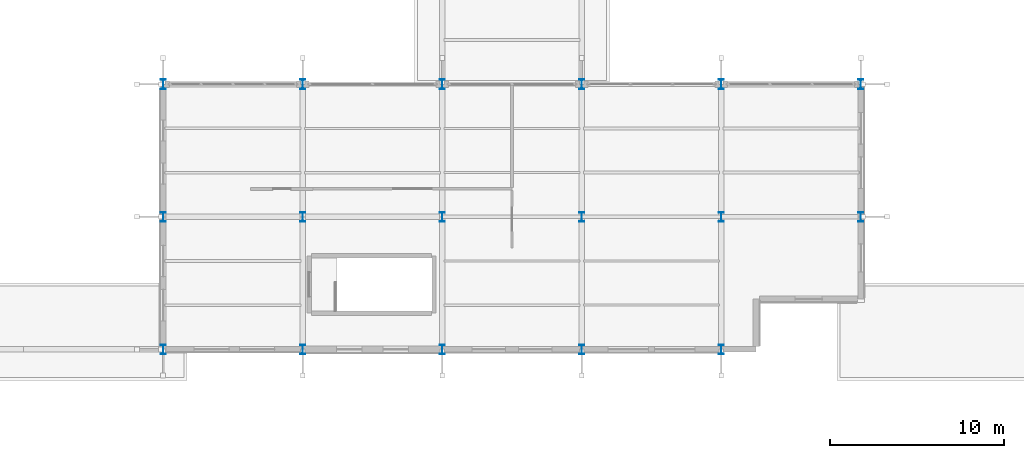
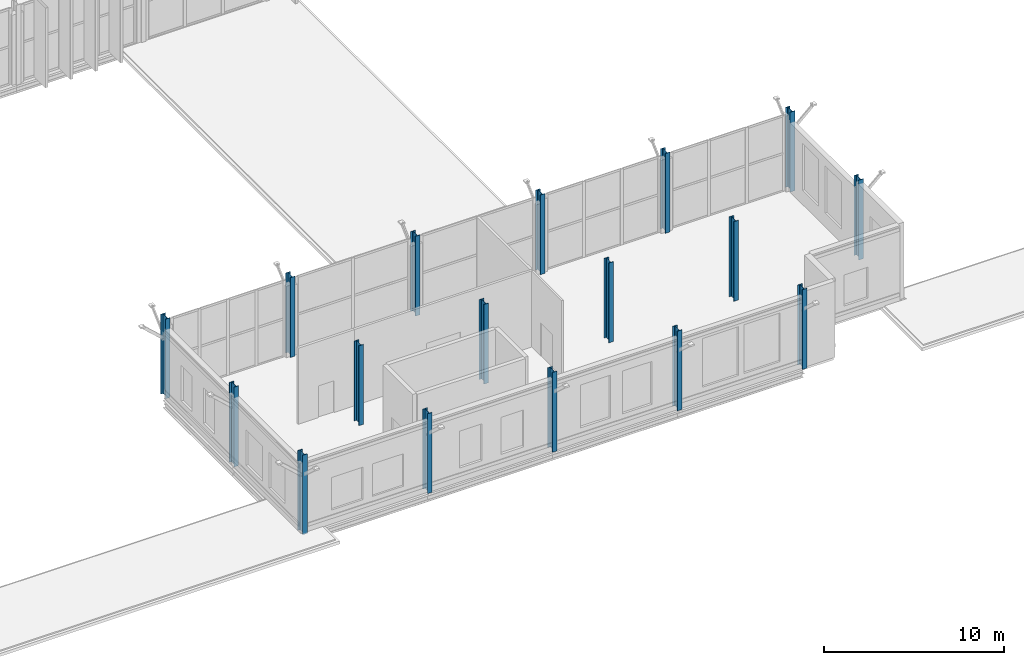
# One storey, part 5 of 147: 17 columns.
"""IFC4 building model written with IfcOpenShell, lengths in metres."""

import ifcopenshell
import ifcopenshell.guid

model = None  # the IFC model being written
_history = None  # IfcOwnerHistory: only IFC2X3 demands one
_inside = {}  # id of a spatial element -> (the spatial element, [elements in it])
_under = {}  # id of a project, library or spatial element -> (it, [spatial elements below it])
_declared = {}  # id of a project -> (the project, [libraries it declares])
_typed = {}  # id of a type object -> (the type object, [elements of that type])
_made_of = {}  # id of a material, layer set ... -> (it, [elements and type objects made of it])


def new_model(schema):
    """Start an empty IFC model of exactly this schema.

    Asked for "IFC4X3", IfcOpenShell would pick the latest addendum, in which some entities
    have other attributes; the version numbers below select the first issue.
    IFC2X3 requires an IfcOwnerHistory on every rooted entity: one is made here for all.
    """
    global model, _history
    if schema == "IFC4X3":
        model = ifcopenshell.file(schema_version=(4, 3, 0, 0))
    else:
        model = ifcopenshell.file(schema=schema)
    _inside.clear()
    _under.clear()
    _declared.clear()
    _typed.clear()
    _made_of.clear()
    _history = None
    if model.schema == "IFC2X3":
        org = make("IfcOrganization", Name="unknown")
        user = make(
            "IfcPersonAndOrganization",
            ThePerson=make("IfcPerson", FamilyName="unknown"),
            TheOrganization=org,
        )
        app = make(
            "IfcApplication",
            ApplicationDeveloper=org,
            Version="unknown",
            ApplicationFullName="unknown",
            ApplicationIdentifier="unknown",
        )
        _history = make(
            "IfcOwnerHistory",
            OwningUser=user,
            OwningApplication=app,
            ChangeAction="ADDED",
            CreationDate=0,
        )
    return model


def make(cls, **values):
    """One entity of the class cls with the attributes given. An attribute that is None is left unset."""
    return model.create_entity(
        cls, **{name: value for name, value in values.items() if value is not None}
    )


def rooted(cls, **values):
    """An entity with a GlobalId (a new one), such as an element, a storey or a relation."""
    return make(cls, GlobalId=ifcopenshell.guid.new(), OwnerHistory=_history, **values)


def si_unit(unit_type, name, prefix=None):
    """IfcSIUnit, for example si_unit("LENGTHUNIT", "METRE", prefix="MILLI")."""
    return make("IfcSIUnit", UnitType=unit_type, Prefix=prefix, Name=name)


def assignment(units):
    """IfcUnitAssignment: the units of a project."""
    return None if units is None else make("IfcUnitAssignment", Units=units)


def point(xyz):
    """IfcCartesianPoint."""
    return None if xyz is None else make("IfcCartesianPoint", Coordinates=xyz)


def direction(xyz):
    """IfcDirection."""
    return None if xyz is None else make("IfcDirection", DirectionRatios=xyz)


def frame(location, z_axis=None, x_axis=None):
    """IfcAxis2Placement3D, a coordinate frame: its origin and axes. An axis left out is left unset."""
    return make(
        "IfcAxis2Placement3D",
        Location=point(location),
        Axis=direction(z_axis),
        RefDirection=direction(x_axis),
    )


def frame_2d(location, x_axis=None):
    """IfcAxis2Placement2D, a coordinate frame in the plane: its origin and x axis."""
    return make(
        "IfcAxis2Placement2D", Location=point(location), RefDirection=direction(x_axis)
    )


def origin():
    """The frame at (0, 0, 0) with its axes left unset."""
    return frame((0.0, 0.0, 0.0))


def origin_2d():
    """The frame at (0, 0) in the plane with its x axis left unset."""
    return frame_2d((0.0, 0.0))


def place(relative_to, where):
    """IfcLocalPlacement: puts the frame where relative to a parent placement (None: the world)."""
    return make(
        "IfcLocalPlacement", PlacementRelTo=relative_to, RelativePlacement=where
    )


def context(
    kind, dimensions, precision=None, world=None, true_north=None, identifier=None
):
    """IfcGeometricRepresentationContext, for example the 3D "Model" context."""
    return make(
        "IfcGeometricRepresentationContext",
        ContextIdentifier=identifier,
        ContextType=kind,
        CoordinateSpaceDimension=dimensions,
        Precision=precision,
        WorldCoordinateSystem=world,
        TrueNorth=true_north,
    )


def subcontext(parent, identifier, kind, view, scale=None):
    """IfcGeometricRepresentationSubContext, for example "Body" below "Model"."""
    return make(
        "IfcGeometricRepresentationSubContext",
        ContextIdentifier=identifier,
        ContextType=kind,
        ParentContext=parent,
        TargetScale=scale,
        TargetView=view,
    )


def project(units=None, contexts=None):
    """IfcProject with its units and contexts."""
    return rooted(
        "IfcProject",
        Name="project",
        RepresentationContexts=contexts,
        UnitsInContext=assignment(units),
    )


def spatial(cls, under=None, at=None, **own):
    """A site, building, storey or space (cls), placed at a placement, below another one or the project."""
    s = rooted(cls, ObjectPlacement=at, **own)
    if under is not None:
        _under.setdefault(under.id(), (under, []))[1].append(s)
    return s


def profile(cls, at=None, kind="AREA", **sizes):
    """A parametric profile (cls). Its sizes go by their IFC names, for example OverallWidth=200.0."""
    return make(cls, ProfileType=kind, Position=at, **sizes)


def i_section(**sizes):
    """IfcIShapeProfileDef."""
    return profile("IfcIShapeProfileDef", **sizes)


def extrude(swept, where, along, depth):
    """IfcExtrudedAreaSolid: the profile swept, set in the frame where, extruded along a direction by depth."""
    return make(
        "IfcExtrudedAreaSolid",
        SweptArea=swept,
        Position=where,
        ExtrudedDirection=direction(along),
        Depth=depth,
    )


def shape(context_of_items, identifier, shape_type, items):
    """IfcShapeRepresentation: the items that make up one representation, for example the "Body"."""
    return make(
        "IfcShapeRepresentation",
        ContextOfItems=context_of_items,
        RepresentationIdentifier=identifier,
        RepresentationType=shape_type,
        Items=items,
    )


def material(Name=None, Category=None):
    """IfcMaterial."""
    return make("IfcMaterial", Name=Name, Category=Category)


def material_profile(
    of_material, cross_section, Name=None, Category=None, Priority=None
):
    """IfcMaterialProfile: a cross section and its material."""
    return make(
        "IfcMaterialProfile",
        Name=Name,
        Material=of_material,
        Profile=cross_section,
        Priority=Priority,
        Category=Category,
    )


def profile_set(profiles, Name=None, composite=None):
    """IfcMaterialProfileSet."""
    return make(
        "IfcMaterialProfileSet",
        Name=Name,
        MaterialProfiles=profiles,
        CompositeProfile=composite,
    )


def made_of(thing, what):
    """Note that an element or type object is made of a material, layer set ...; save() writes the relation."""
    if what is not None:
        _made_of.setdefault(what.id(), (what, []))[1].append(thing)
    return thing


def type_object(cls, material=None, **own):
    """A type object (cls), such as IfcWallType, which elements share."""
    return made_of(rooted(cls, **own), material)


def element(
    cls,
    number,
    at=None,
    inside=None,
    cuts=None,
    type_object=None,
    material=None,
    context=None,
    identifier="Body",
    shape_type=None,
    held_by="IfcProductDefinitionShape",
    body=None,
    shapes=None,
    **own,
):
    """One element of the class cls, such as IfcWall. Its Tag is "e" and its number.

    at: its placement. inside: the storey or other place that contains it. cuts: it is an
    opening in that element (IfcRelVoidsElement). A single representation is given by context,
    identifier, shape_type and body (its items); several are given by shapes. held_by: the class
    of the entity that holds the representations. save() writes the other relations.
    """
    e = rooted(cls, Tag="e%d" % number, ObjectPlacement=at, **own)
    if body is not None:
        shapes = [shape(context, identifier, shape_type, body)]
    if shapes is not None:
        e.Representation = make(held_by, Representations=shapes)
    if inside is not None:
        _inside.setdefault(inside.id(), (inside, []))[1].append(e)
    if cuts is not None:
        rooted(
            "IfcRelVoidsElement", RelatingBuildingElement=cuts, RelatedOpeningElement=e
        )
    if type_object is not None:
        _typed.setdefault(type_object.id(), (type_object, []))[1].append(e)
    return made_of(e, material)


def aggregate(whole, parts):
    """IfcRelAggregates: a whole, such as a stair, and the parts it consists of."""
    return rooted("IfcRelAggregates", RelatingObject=whole, RelatedObjects=parts)


def save(model, path):
    """Write the relations noted so far, then the file.

    IfcRelAggregates (storeys below a building ...), IfcRelContainedInSpatialStructure (elements
    in a storey), IfcRelDefinesByType, IfcRelAssociatesMaterial and IfcRelDeclares: one each for
    every whole, place, type object, material and project.
    """
    for whole, parts in _under.values():
        aggregate(whole, parts)
    for where, things in _inside.values():
        rooted(
            "IfcRelContainedInSpatialStructure",
            RelatedElements=things,
            RelatingStructure=where,
        )
    for kind, things in _typed.values():
        rooted("IfcRelDefinesByType", RelatedObjects=things, RelatingType=kind)
    for what, things in _made_of.values():
        rooted("IfcRelAssociatesMaterial", RelatedObjects=things, RelatingMaterial=what)
    for by, libraries in _declared.values():
        rooted("IfcRelDeclares", RelatingContext=by, RelatedDefinitions=libraries)
    model.write(path)


model = new_model("IFC4")

# Units and contexts
model_context = context("Model", 3, precision=1e-05, world=origin(), true_north=direction((0.0, 1.0)))
body_context = subcontext(model_context, "Body", "Model", "MODEL_VIEW")
ifc_project = project(units=[si_unit("LENGTHUNIT", "METRE"), si_unit("AREAUNIT", "SQUARE_METRE"), si_unit("VOLUMEUNIT", "CUBIC_METRE"), si_unit("PLANEANGLEUNIT", "RADIAN"), si_unit("MASSUNIT", "GRAM", prefix="KILO")], contexts=[model_context])

# Site, building, storey
site_placement = place(None, origin())
site = spatial("IfcSite", under=ifc_project, at=site_placement, CompositionType="ELEMENT")
building_placement = place(site_placement, origin())
building = spatial("IfcBuilding", under=site, at=building_placement, Name="Vekula Escarpment Museum", CompositionType="ELEMENT")
storey_placement = place(building_placement, frame((0.0, 0.0, 7.800048828125)))
storey = spatial("IfcBuildingStorey", under=building, at=storey_placement, Name="L02", CompositionType="ELEMENT", Elevation=7.800048828125)

# Columns
ifc_material = material(Name="Steel S355", Category="steel")
ifc_material_profile = material_profile(ifc_material, i_section(OverallWidth=0.300048828125, OverallDepth=0.550048828125, WebThickness=0.014892578125, FlangeThickness=0.029052734375, FilletRadius=0.027099609375, at=origin_2d()), Name="HEB 550")
ifc_profile_set = profile_set([ifc_material_profile], Name="Steel S355")
column_type = type_object("IfcColumnType", Name="COL-S-HEB550", PredefinedType="COLUMN", material=ifc_profile_set)
for number, where, z_axis, x_axis, name in (
    (1, (78.0, 0.0, 0.0), (0.0, 0.0, 1.0), (1.0, 0.0, 0.0), "Column L02 (78.0,0.0)"),
    (2, (78.0, 7.60009765625, 0.0), (0.0, 0.0, 1.0), (1.0, 0.0, 0.0), "Column L02 (78.0,7.6)"),
    (3, (78.0, 15.199951171875, 0.0), (0.0, 0.0, 1.0), (1.0, 0.0, 0.0), "Column L02 (78.0,15.2)"),
    (4, (86.0, 0.0, 0.0), (0.0, 0.0, 1.0), (1.0, 0.0, 0.0), "Column L02 (86.0,0.0)"),
    (5, (86.0, 7.60009765625, 0.0), (0.0, 0.0, 1.0), (1.0, 0.0, 0.0), "Column L02 (86.0,7.6)"),
    (6, (86.0, 15.199951171875, 0.0), (0.0, 0.0, 1.0), (1.0, 0.0, 0.0), "Column L02 (86.0,15.2)"),
    (7, (94.0, 0.0, 0.0), (0.0, 0.0, 1.0), (1.0, 0.0, 0.0), "Column L02 (94.0,0.0)"),
    (8, (94.0, 7.60009765625, 0.0), (0.0, 0.0, 1.0), (1.0, 0.0, 0.0), "Column L02 (94.0,7.6)"),
    (9, (94.0, 15.199951171875, 0.0), (0.0, 0.0, 1.0), (1.0, 0.0, 0.0), "Column L02 (94.0,15.2)"),
    (10, (102.0, 0.0, 0.0), (0.0, 0.0, 1.0), (1.0, 0.0, 0.0), "Column L02 (102.0,0.0)"),
    (11, (102.0, 7.60009765625, 0.0), (0.0, 0.0, 1.0), (1.0, 0.0, 0.0), "Column L02 (102.0,7.6)"),
    (12, (102.0, 15.199951171875, 0.0), (0.0, 0.0, 1.0), (1.0, 0.0, 0.0), "Column L02 (102.0,15.2)"),
    (13, (110.0, 0.0, 0.0), (0.0, 0.0, 1.0), (1.0, 0.0, 0.0), "Column L02 (110.0,0.0)"),
    (14, (110.0, 7.60009765625, 0.0), (0.0, 0.0, 1.0), (1.0, 0.0, 0.0), "Column L02 (110.0,7.6)"),
    (15, (110.0, 15.199951171875, 0.0), (0.0, 0.0, 1.0), (1.0, 0.0, 0.0), "Column L02 (110.0,15.2)"),
    (16, (118.0, 7.60009765625, 0.0), (0.0, 0.0, 1.0), (1.0, 0.0, 0.0), "Column L02 (118.0,7.6)"),
    (17, (118.0, 15.199951171875, 0.0), (0.0, 0.0, 1.0), (1.0, 0.0, 0.0), "Column L02 (118.0,15.2)"),
):
    element("IfcColumn", number, at=place(storey_placement, frame(where, z_axis=z_axis, x_axis=x_axis)), inside=storey, type_object=column_type, Name=name, PredefinedType="COLUMN", context=body_context, shape_type="SweptSolid", body=[
        extrude(i_section(OverallWidth=0.300048828125, OverallDepth=0.550048828125, WebThickness=0.014892578125, FlangeThickness=0.029052734375, FilletRadius=0.027099609375, at=origin_2d()), origin(), (0.0, 0.0, 1.0), 5.39990234375),
    ])

save(model, "model.ifc")
